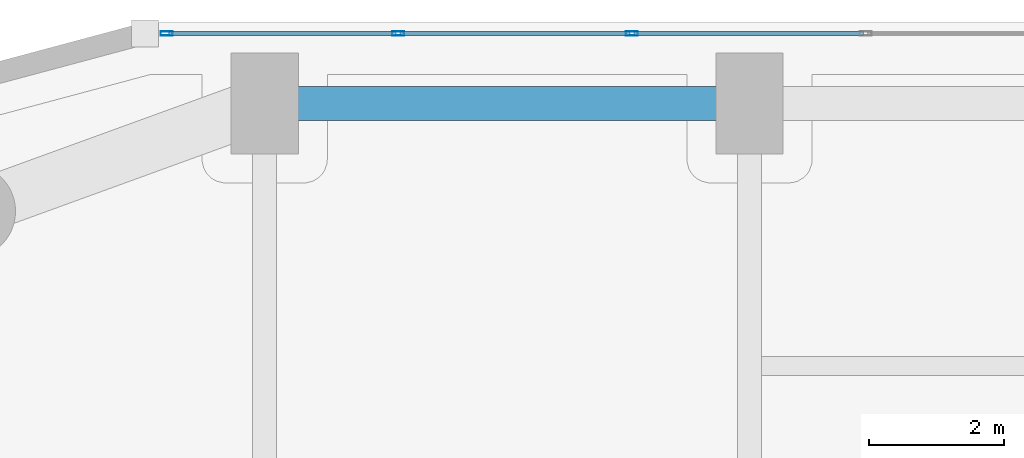
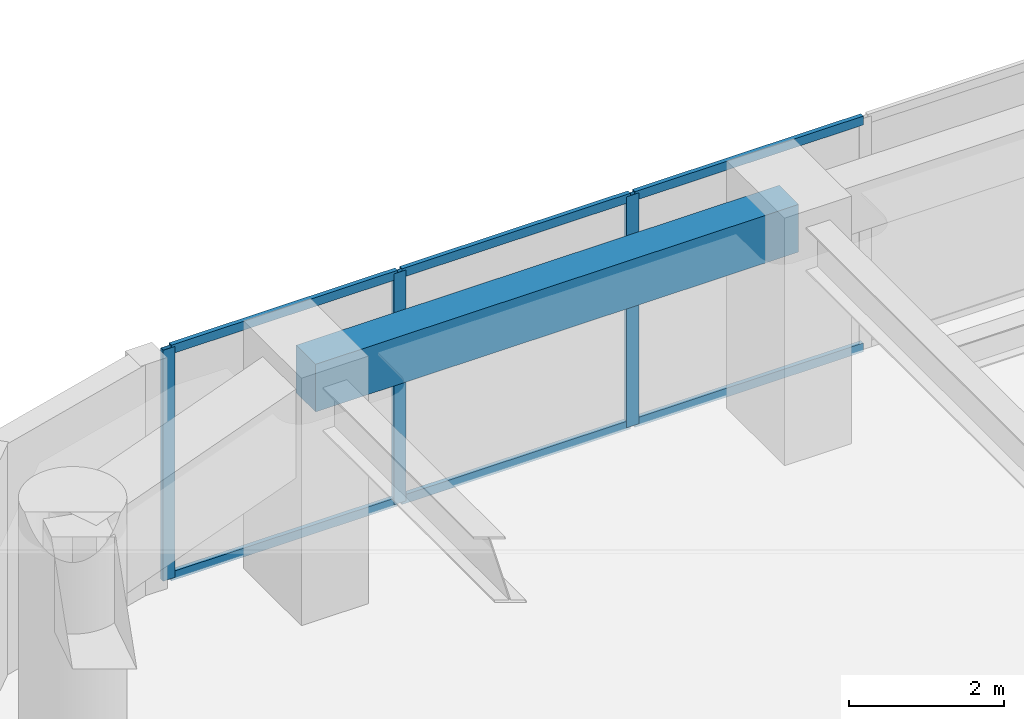
# One storey, part 16 of 29: 9 members, 1 beam, 1 element without a shape of its own.
"""IFC4 building model written with IfcOpenShell, lengths in metres."""

from ifc_helpers import new_model, si_unit, direction, frame, origin, origin_2d, place, context, subcontext, project, spatial, rectangle, hollow_rectangle, extrude, material, layer, layer_set, material_profile, profile_set, type_object, element, aggregate, save


model = new_model("IFC4")

# Units and contexts
model_context = context("Model", 3, precision=1e-05, world=origin(), true_north=direction((0.0, 1.0)))
body_context = subcontext(model_context, "Body", "Model", "MODEL_VIEW")
ifc_project = project(units=[si_unit("LENGTHUNIT", "METRE"), si_unit("AREAUNIT", "SQUARE_METRE"), si_unit("VOLUMEUNIT", "CUBIC_METRE"), si_unit("PLANEANGLEUNIT", "RADIAN"), si_unit("MASSUNIT", "GRAM", prefix="KILO")], contexts=[model_context])

# Site, building, storey
site_placement = place(None, origin())
site = spatial("IfcSite", under=ifc_project, at=site_placement, CompositionType="ELEMENT")
building_placement = place(site_placement, origin())
building = spatial("IfcBuilding", under=site, at=building_placement, Name="Kiyonajd Concourse Tower", CompositionType="ELEMENT")
storey_placement = place(building_placement, frame((0.0, 0.0, 52.800048828125)))
storey = spatial("IfcBuildingStorey", under=building, at=storey_placement, Name="L14", CompositionType="ELEMENT", Elevation=52.800048828125)

# Beam
ifc_material_1 = material(Name="Precast concrete C50/60", Category="concrete")
ifc_material_profile_1 = material_profile(ifc_material_1, rectangle(XDim=0.5, YDim=0.75, at=origin_2d()), Name="RCBM-500x750")
ifc_profile_set_1 = profile_set([ifc_material_profile_1], Name="Precast concrete C50/60")
beam_type = type_object("IfcBeamType", Name="BM-SPAN-RC", PredefinedType="SPANDREL", material=ifc_profile_set_1)
beam_placement = place(storey_placement, frame((32.39990234375, 61.199951171875, 3.264892578125), z_axis=(-1.0, 0.0, 0.0), x_axis=(0.0, -1.0, 0.0)))
element("IfcBeam", 1, at=beam_placement, inside=storey, type_object=beam_type, Name="L14 Perimeter Bundled Tube Spandrel", PredefinedType="SPANDREL", context=body_context, shape_type="SweptSolid", body=[
    extrude(rectangle(XDim=0.5, YDim=0.75, at=origin_2d()), origin(), (0.0, 0.0, 1.0), 7.199951171875),
])

# Curtain wall, members
ifc_material_2 = material(Name="Thermally Broken Anodised Aluminium", Category="aluminium")
ifc_layer = layer(ifc_material_2, 0.179931640625)
ifc_layer_set = layer_set([ifc_layer], Name="Thermally Broken Anodised Aluminium")
curtain_wall_type = type_object("IfcCurtainWallType", Name="CW-SYS-02", PredefinedType="NOTDEFINED", material=ifc_layer_set)
curtain_wall_placement = place(storey_placement, origin())
curtain_wall = element("IfcCurtainWall", 2, at=curtain_wall_placement, inside=storey, type_object=curtain_wall_type, Name="L14 Unitised Curtain Wall CW2", PredefinedType="NOTDEFINED")
ifc_material_profile_2 = material_profile(ifc_material_2, hollow_rectangle(XDim=0.06494140625, YDim=0.179931640625, WallThickness=0.00390625, at=origin_2d()), Name="MULL-65x180")
ifc_profile_set_2 = profile_set([ifc_material_profile_2], Name="Thermally Broken Anodised Aluminium")
member_type_1 = type_object("IfcMemberType", Name="MB-CW-MULL1", PredefinedType="MULLION", material=ifc_profile_set_2)
member_1_placement = place(storey_placement, frame((23.74365234375, 62.239990234375, 0.0), z_axis=(0.0, 0.0, 1.0), x_axis=(0.0, 1.0, 0.0)))
member_1 = element("IfcMember", 3, at=member_1_placement, type_object=member_type_1, Name="CW2 mullion 1", PredefinedType="MULLION", context=body_context, shape_type="SweptSolid", body=[
    extrude(hollow_rectangle(XDim=0.06494140625, YDim=0.179931640625, WallThickness=0.00390625, at=origin_2d()), origin(), (0.0, 0.0, 1.0), 3.639892578125),
])
member_2_placement = place(storey_placement, frame((27.181884765625, 62.239990234375, 0.0), z_axis=(0.0, 0.0, 1.0), x_axis=(0.0, 1.0, 0.0)))
member_2 = element("IfcMember", 4, at=member_2_placement, type_object=member_type_1, Name="CW2 mullion 2", PredefinedType="MULLION", context=body_context, shape_type="SweptSolid", body=[
    extrude(hollow_rectangle(XDim=0.06494140625, YDim=0.179931640625, WallThickness=0.00390625, at=origin_2d()), origin(), (0.0, 0.0, 1.0), 3.639892578125),
])
member_3_placement = place(storey_placement, frame((30.652587890625, 62.239990234375, 0.0), z_axis=(0.0, 0.0, 1.0), x_axis=(0.0, 1.0, 0.0)))
member_3 = element("IfcMember", 5, at=member_3_placement, type_object=member_type_1, Name="CW2 mullion 3", PredefinedType="MULLION", context=body_context, shape_type="SweptSolid", body=[
    extrude(hollow_rectangle(XDim=0.06494140625, YDim=0.179931640625, WallThickness=0.00390625, at=origin_2d()), origin(), (0.0, 0.0, 1.0), 3.639892578125),
])
ifc_material_profile_3 = material_profile(ifc_material_2, hollow_rectangle(XDim=0.06494140625, YDim=0.139892578125, WallThickness=0.00390625, at=origin_2d()), Name="TRAN-65x140")
ifc_profile_set_3 = profile_set([ifc_material_profile_3], Name="Thermally Broken Anodised Aluminium")
member_type_2 = type_object("IfcMemberType", Name="MB-CW-TRAN1", PredefinedType="USERDEFINED", material=ifc_profile_set_3)
member_4_placement = place(storey_placement, frame((23.776123046875, 62.239990234375, 0.032470703125), z_axis=(1.0, 0.0, 0.0), x_axis=(0.0, 1.0, 0.0)))
member_4 = element("IfcMember", 6, at=member_4_placement, type_object=member_type_2, Name="CW2 transom 1.1", ObjectType="TRANSOM", PredefinedType="USERDEFINED", context=body_context, shape_type="SweptSolid", body=[
    extrude(hollow_rectangle(XDim=0.06494140625, YDim=0.139892578125, WallThickness=0.00390625, at=origin_2d()), origin(), (0.0, 0.0, 1.0), 3.373291015625),
])
member_5_placement = place(storey_placement, frame((23.776123046875, 62.239990234375, 3.607421875), z_axis=(1.0, 0.0, 0.0), x_axis=(0.0, 1.0, 0.0)))
member_5 = element("IfcMember", 7, at=member_5_placement, type_object=member_type_2, Name="CW2 transom 1.2", ObjectType="TRANSOM", PredefinedType="USERDEFINED", context=body_context, shape_type="SweptSolid", body=[
    extrude(hollow_rectangle(XDim=0.06494140625, YDim=0.139892578125, WallThickness=0.00390625, at=origin_2d()), origin(), (0.0, 0.0, 1.0), 3.373291015625),
])
member_6_placement = place(storey_placement, frame((27.21435546875, 62.239990234375, 0.032470703125), z_axis=(1.0, 0.0, 0.0), x_axis=(0.0, 1.0, 0.0)))
member_6 = element("IfcMember", 8, at=member_6_placement, type_object=member_type_2, Name="CW2 transom 2.1", ObjectType="TRANSOM", PredefinedType="USERDEFINED", context=body_context, shape_type="SweptSolid", body=[
    extrude(hollow_rectangle(XDim=0.06494140625, YDim=0.139892578125, WallThickness=0.00390625, at=origin_2d()), origin(), (0.0, 0.0, 1.0), 3.40576171875),
])
member_7_placement = place(storey_placement, frame((27.21435546875, 62.239990234375, 3.607421875), z_axis=(1.0, 0.0, 0.0), x_axis=(0.0, 1.0, 0.0)))
member_7 = element("IfcMember", 9, at=member_7_placement, type_object=member_type_2, Name="CW2 transom 2.2", ObjectType="TRANSOM", PredefinedType="USERDEFINED", context=body_context, shape_type="SweptSolid", body=[
    extrude(hollow_rectangle(XDim=0.06494140625, YDim=0.139892578125, WallThickness=0.00390625, at=origin_2d()), origin(), (0.0, 0.0, 1.0), 3.40576171875),
])
member_8_placement = place(storey_placement, frame((30.68505859375, 62.239990234375, 0.032470703125), z_axis=(1.0, 0.0, 0.0), x_axis=(0.0, 1.0, 0.0)))
member_8 = element("IfcMember", 10, at=member_8_placement, type_object=member_type_2, Name="CW2 transom 3.1", ObjectType="TRANSOM", PredefinedType="USERDEFINED", context=body_context, shape_type="SweptSolid", body=[
    extrude(hollow_rectangle(XDim=0.06494140625, YDim=0.139892578125, WallThickness=0.00390625, at=origin_2d()), origin(), (0.0, 0.0, 1.0), 3.40576171875),
])
member_9_placement = place(storey_placement, frame((30.68505859375, 62.239990234375, 3.607421875), z_axis=(1.0, 0.0, 0.0), x_axis=(0.0, 1.0, 0.0)))
member_9 = element("IfcMember", 11, at=member_9_placement, type_object=member_type_2, Name="CW2 transom 3.2", ObjectType="TRANSOM", PredefinedType="USERDEFINED", context=body_context, shape_type="SweptSolid", body=[
    extrude(hollow_rectangle(XDim=0.06494140625, YDim=0.139892578125, WallThickness=0.00390625, at=origin_2d()), origin(), (0.0, 0.0, 1.0), 3.40576171875),
])
aggregate(curtain_wall, [member_1, member_2, member_3, member_4, member_5, member_6, member_7, member_8, member_9])

save(model, "model.ifc")
